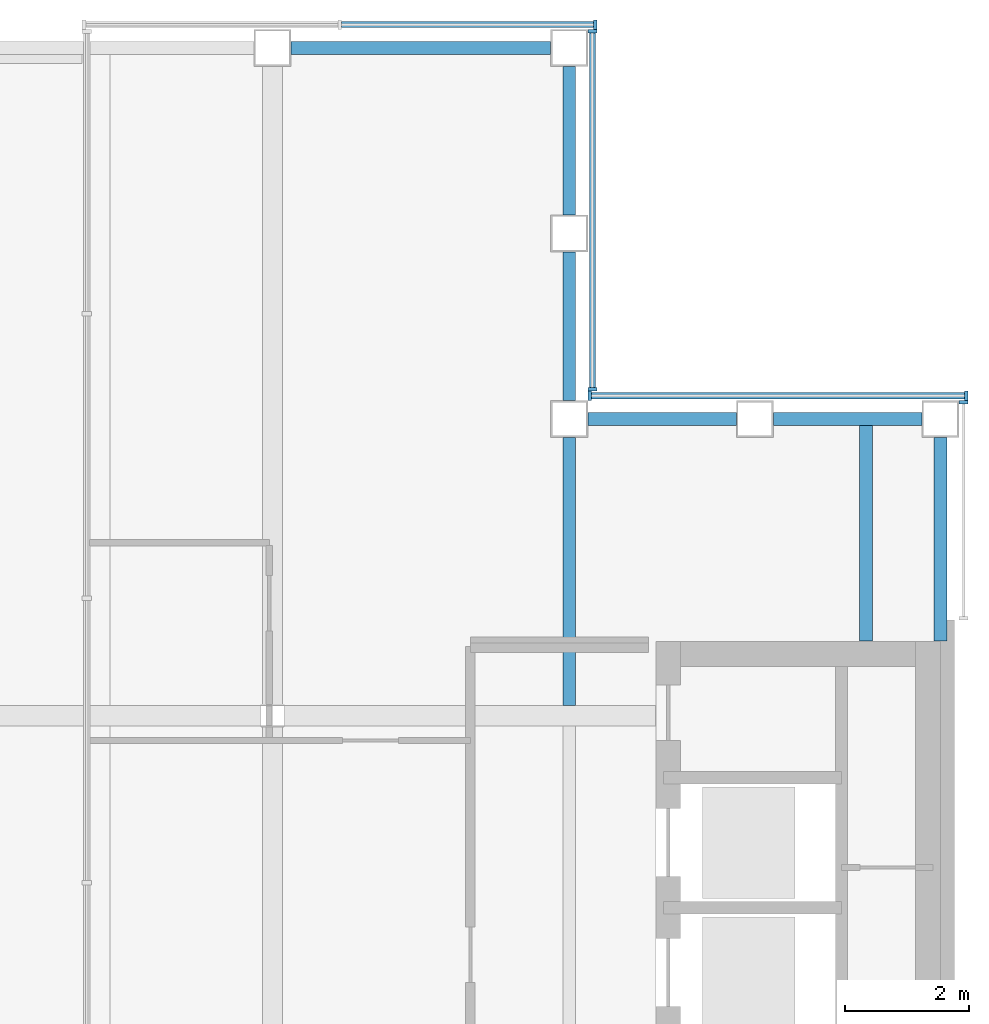
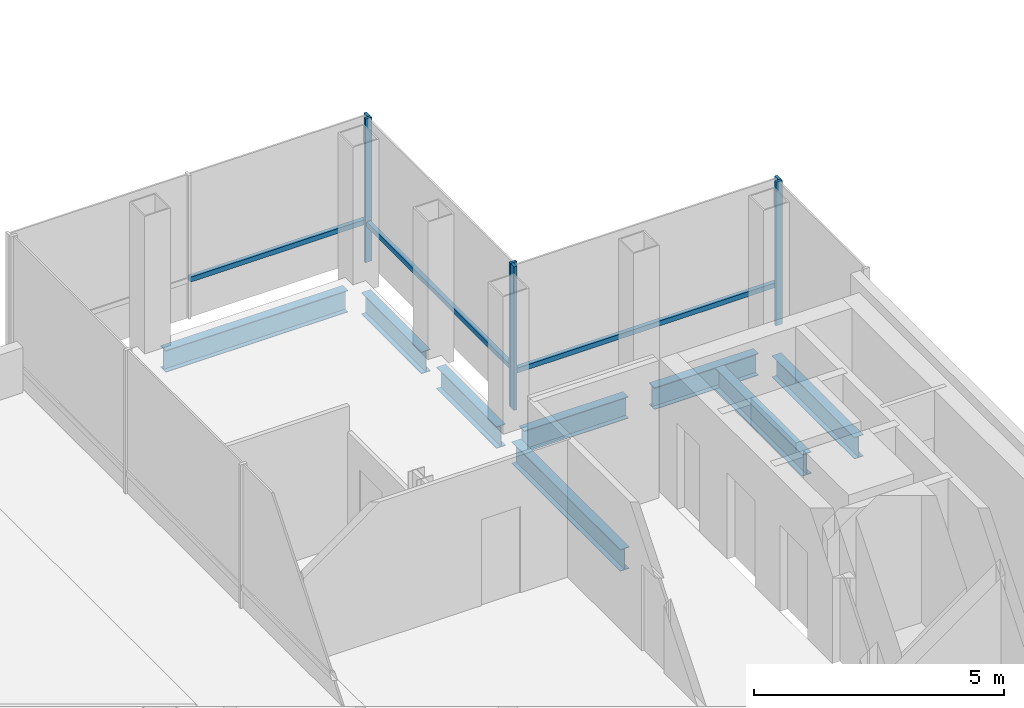
# One storey, part 21 of 32: 9 members, 8 beams, 4 elements without a shape of their own.
"""IFC4 building model written with IfcOpenShell, lengths in metres."""

from ifc_helpers import new_model, si_unit, direction, frame, origin, origin_2d, place, context, subcontext, project, spatial, rectangle, i_section, extrude, material, material_profile, profile_set, type_object, element, aggregate, save


model = new_model("IFC4")

# Units and contexts
model_context = context("Model", 3, precision=1e-05, world=origin(), true_north=direction((0.0, 1.0)))
body_context = subcontext(model_context, "Body", "Model", "MODEL_VIEW")
ifc_project = project(units=[si_unit("LENGTHUNIT", "METRE"), si_unit("AREAUNIT", "SQUARE_METRE"), si_unit("VOLUMEUNIT", "CUBIC_METRE"), si_unit("PLANEANGLEUNIT", "RADIAN"), si_unit("MASSUNIT", "GRAM", prefix="KILO")], contexts=[model_context])

# Site, building, storey
site_placement = place(None, origin())
site = spatial("IfcSite", under=ifc_project, at=site_placement, CompositionType="ELEMENT")
building_placement = place(site_placement, origin())
building = spatial("IfcBuilding", under=site, at=building_placement, Name="Cobrizo Arcos Hotel Tower", CompositionType="ELEMENT")
storey_placement = place(building_placement, frame((0.0, 0.0, 265.5)))
storey = spatial("IfcBuildingStorey", under=building, at=storey_placement, Name="L70", CompositionType="ELEMENT", Elevation=265.5)

# Curtain wall, member
ifc_material_1 = material(Name="Aluminium 6063-T6 anodised bronze", Category="aluminium")
curtain_wall_type = type_object("IfcCurtainWallType", Name="CW-A guest facade", PredefinedType="NOTDEFINED", material=ifc_material_1)
curtain_wall_1_placement = place(storey_placement, origin())
curtain_wall_1 = element("IfcCurtainWall", 1, at=curtain_wall_1_placement, inside=storey, type_object=curtain_wall_type, Name="CW-A L70 N face", PredefinedType="NOTDEFINED")
ifc_material_profile_1 = material_profile(ifc_material_1, rectangle(XDim=0.14990234375, YDim=0.06005859375, at=origin_2d()), Name="CW-A mullion 150x60")
ifc_profile_set_1 = profile_set([ifc_material_profile_1], Name="Aluminium 6063-T6 anodised bronze")
member_type_1 = type_object("IfcMemberType", Name="CW-A mullion 150x60", PredefinedType="MULLION", material=ifc_profile_set_1)
member_1_placement = place(storey_placement, frame((14.820068359375, 20.77490234375, 0.0), z_axis=(0.0, 0.0, 1.0), x_axis=(0.0, 1.0, 0.0)))
member_1 = element("IfcMember", 2, at=member_1_placement, type_object=member_type_1, Name="CW-A mullion 1", PredefinedType="MULLION", context=body_context, shape_type="SweptSolid", body=[
    extrude(rectangle(XDim=0.14990234375, YDim=0.06005859375, at=origin_2d()), origin(), (0.0, 0.0, 1.0), 3.5),
])

curtain_wall_2_placement = place(storey_placement, origin())
curtain_wall_2 = element("IfcCurtainWall", 3, at=curtain_wall_2_placement, inside=storey, type_object=curtain_wall_type, Name="CW-A L70 E face", PredefinedType="NOTDEFINED")
member_2_placement = place(storey_placement, frame((20.77490234375, 14.669921875, 0.0), z_axis=(0.0, 0.0, 1.0), x_axis=(1.0, 0.0, 0.0)))
member_2 = element("IfcMember", 4, at=member_2_placement, type_object=member_type_1, Name="CW-A mullion 2", PredefinedType="MULLION", context=body_context, shape_type="SweptSolid", body=[
    extrude(rectangle(XDim=0.14990234375, YDim=0.06005859375, at=origin_2d()), origin(), (0.0, 0.0, 1.0), 3.5),
])
aggregate(curtain_wall_2, [member_2])

# Curtain wall, members
curtain_wall_3_placement = place(storey_placement, origin())
curtain_wall_3 = element("IfcCurtainWall", 5, at=curtain_wall_3_placement, inside=storey, type_object=curtain_wall_type, Name="CW-A L70 N face", PredefinedType="NOTDEFINED")
member_3_placement = place(storey_placement, frame((20.820068359375, 14.77490234375, 0.0), z_axis=(0.0, 0.0, 1.0), x_axis=(0.0, 1.0, 0.0)))
member_3 = element("IfcMember", 6, at=member_3_placement, type_object=member_type_1, Name="CW-A mullion 1", PredefinedType="MULLION", context=body_context, shape_type="SweptSolid", body=[
    extrude(rectangle(XDim=0.14990234375, YDim=0.06005859375, at=origin_2d()), origin(), (0.0, 0.0, 1.0), 3.5),
])
member_4_placement = place(storey_placement, frame((14.72998046875, 14.77490234375, 0.0), z_axis=(0.0, 0.0, 1.0), x_axis=(0.0, 1.0, 0.0)))
member_4 = element("IfcMember", 7, at=member_4_placement, type_object=member_type_1, Name="CW-A mullion 2", PredefinedType="MULLION", context=body_context, shape_type="SweptSolid", body=[
    extrude(rectangle(XDim=0.14990234375, YDim=0.06005859375, at=origin_2d()), origin(), (0.0, 0.0, 1.0), 3.5),
])

curtain_wall_4_placement = place(storey_placement, origin())
curtain_wall_4 = element("IfcCurtainWall", 8, at=curtain_wall_4_placement, inside=storey, type_object=curtain_wall_type, Name="CW-A L70 E face", PredefinedType="NOTDEFINED")
member_5_placement = place(storey_placement, frame((14.77490234375, 14.8798828125, 0.0), z_axis=(0.0, 0.0, 1.0), x_axis=(1.0, 0.0, 0.0)))
member_5 = element("IfcMember", 9, at=member_5_placement, type_object=member_type_1, Name="CW-A mullion 1", PredefinedType="MULLION", context=body_context, shape_type="SweptSolid", body=[
    extrude(rectangle(XDim=0.14990234375, YDim=0.06005859375, at=origin_2d()), origin(), (0.0, 0.0, 1.0), 3.5),
])
member_6_placement = place(storey_placement, frame((14.77490234375, 20.669921875, 0.0), z_axis=(0.0, 0.0, 1.0), x_axis=(1.0, 0.0, 0.0)))
member_6 = element("IfcMember", 10, at=member_6_placement, type_object=member_type_1, Name="CW-A mullion 2", PredefinedType="MULLION", context=body_context, shape_type="SweptSolid", body=[
    extrude(rectangle(XDim=0.14990234375, YDim=0.06005859375, at=origin_2d()), origin(), (0.0, 0.0, 1.0), 3.5),
])

# Member
ifc_material_profile_2 = material_profile(ifc_material_1, rectangle(XDim=0.10009765625, YDim=0.1201171875, at=origin_2d()), Name="CW-A transom 120x100")
ifc_profile_set_2 = profile_set([ifc_material_profile_2], Name="Aluminium 6063-T6 anodised bronze")
member_type_2 = type_object("IfcMemberType", Name="CW-A transom 120x100", PredefinedType="USERDEFINED", material=ifc_profile_set_2)
member_7_placement = place(storey_placement, frame((14.7900390625, 20.77490234375, 0.929931640625), z_axis=(-1.0, 0.0, 0.0), x_axis=(0.0, -1.0, 0.0)))
member_7 = element("IfcMember", 11, at=member_7_placement, type_object=member_type_2, Name="CW-A transom 2180", ObjectType="TRANSOM", PredefinedType="USERDEFINED", context=body_context, shape_type="SweptSolid", body=[
    extrude(rectangle(XDim=0.10009765625, YDim=0.1201171875, at=origin_2d()), origin(), (0.0, 0.0, 1.0), 4.072998046875),
])

aggregate(curtain_wall_1, [member_1, member_7])

member_8_placement = place(storey_placement, frame((20.7900390625, 14.77490234375, 0.929931640625), z_axis=(-1.0, 0.0, 0.0), x_axis=(0.0, -1.0, 0.0)))
member_8 = element("IfcMember", 12, at=member_8_placement, type_object=member_type_2, Name="CW-A transom 2197", ObjectType="TRANSOM", PredefinedType="USERDEFINED", context=body_context, shape_type="SweptSolid", body=[
    extrude(rectangle(XDim=0.10009765625, YDim=0.1201171875, at=origin_2d()), origin(), (0.0, 0.0, 1.0), 6.030029296875),
])

aggregate(curtain_wall_3, [member_3, member_4, member_8])

member_9_placement = place(storey_placement, frame((14.77490234375, 14.909912109375, 0.929931640625), z_axis=(0.0, 1.0, 0.0), x_axis=(-1.0, 0.0, 0.0)))
member_9 = element("IfcMember", 13, at=member_9_placement, type_object=member_type_2, Name="CW-A transom 2198", ObjectType="TRANSOM", PredefinedType="USERDEFINED", context=body_context, shape_type="SweptSolid", body=[
    extrude(rectangle(XDim=0.10009765625, YDim=0.1201171875, at=origin_2d()), origin(), (0.0, 0.0, 1.0), 5.72998046875),
])

aggregate(curtain_wall_4, [member_5, member_6, member_9])

# Beams
ifc_material_2 = material(Name="Steel ASTM A992 Grade 50", Category="steel")
ifc_material_profile_3 = material_profile(ifc_material_2, i_section(OverallWidth=0.209228515625, OverallDepth=0.533447265625, WebThickness=0.01025390625, FlangeThickness=0.015625, at=origin_2d()), Name="W21X62")
ifc_profile_set_3 = profile_set([ifc_material_profile_3], Name="Steel ASTM A992 Grade 50")
beam_type_1 = type_object("IfcBeamType", Name="W21X62 joist", PredefinedType="JOIST", material=ifc_profile_set_3)
beam_1_placement = place(storey_placement, frame((14.39990234375, 9.763916015625, -0.5166015625), z_axis=(0.0, 1.0, 0.0), x_axis=(-1.0, 0.0, 0.0)))
element("IfcBeam", 14, at=beam_1_placement, inside=storey, type_object=beam_type_1, Name="Floor joist J1, L70, no. 018", PredefinedType="JOIST", context=body_context, shape_type="SweptSolid", body=[
    extrude(i_section(OverallWidth=0.209228515625, OverallDepth=0.533447265625, WebThickness=0.01025390625, FlangeThickness=0.015625, at=origin_2d()), origin(), (0.0, 0.0, 1.0), 4.336181640625),
])
beam_2_placement = place(storey_placement, frame((19.199951171875, 10.81005859375, -0.5166015625), z_axis=(0.0, 1.0, 0.0), x_axis=(-1.0, 0.0, 0.0)))
element("IfcBeam", 15, at=beam_2_placement, inside=storey, type_object=beam_type_1, Name="Floor joist J1, L70, no. 020", PredefinedType="JOIST", context=body_context, shape_type="SweptSolid", body=[
    extrude(i_section(OverallWidth=0.209228515625, OverallDepth=0.533447265625, WebThickness=0.01025390625, FlangeThickness=0.015625, at=origin_2d()), origin(), (0.0, 0.0, 1.0), 3.5),
])
ifc_material_profile_4 = material_profile(ifc_material_2, i_section(OverallWidth=0.209228515625, OverallDepth=0.533447265625, WebThickness=0.01025390625, FlangeThickness=0.015625, at=origin_2d()), Name="W21X62")
ifc_profile_set_4 = profile_set([ifc_material_profile_4], Name="Steel ASTM A992 Grade 50")
beam_type_2 = type_object("IfcBeamType", Name="W21X62 spandrel", PredefinedType="SPANDREL", material=ifc_profile_set_4)
beam_3_placement = place(storey_placement, frame((9.89990234375, 20.39990234375, -0.5166015625), z_axis=(1.0, 0.0, 0.0), x_axis=(0.0, 1.0, 0.0)))
element("IfcBeam", 16, at=beam_3_placement, inside=storey, type_object=beam_type_2, Name="Spandrel beam W21X62, L70, no. 014", PredefinedType="SPANDREL", context=body_context, shape_type="SweptSolid", body=[
    extrude(i_section(OverallWidth=0.209228515625, OverallDepth=0.533447265625, WebThickness=0.01025390625, FlangeThickness=0.015625, at=origin_2d()), origin(), (0.0, 0.0, 1.0), 4.2001953125),
])
for number, where, z_axis, x_axis, name in (
    (17, (14.39990234375, 20.10009765625, -0.5166015625), (0.0, -1.0, 0.0), (1.0, 0.0, 0.0), "Spandrel beam W21X62, L70, no. 015"),
    (18, (14.39990234375, 17.10009765625, -0.5166015625), (0.0, -1.0, 0.0), (1.0, 0.0, 0.0), "Spandrel beam W21X62, L70, no. 016"),
    (19, (14.699951171875, 14.39990234375, -0.5166015625), (1.0, 0.0, 0.0), (0.0, 1.0, 0.0), "Spandrel beam W21X62, L70, no. 017"),
    (20, (17.699951171875, 14.39990234375, -0.5166015625), (1.0, 0.0, 0.0), (0.0, 1.0, 0.0), "Spandrel beam W21X62, L70, no. 018"),
):
    element("IfcBeam", number, at=place(storey_placement, frame(where, z_axis=z_axis, x_axis=x_axis)), inside=storey, type_object=beam_type_2, Name=name, PredefinedType="SPANDREL", context=body_context, shape_type="SweptSolid", body=[
        extrude(i_section(OverallWidth=0.209228515625, OverallDepth=0.533447265625, WebThickness=0.01025390625, FlangeThickness=0.015625, at=origin_2d()), origin(), (0.0, 0.0, 1.0), 2.400146484375),
    ])
beam_4_placement = place(storey_placement, frame((20.39990234375, 14.10009765625, -0.5166015625), z_axis=(0.0, -1.0, 0.0), x_axis=(1.0, 0.0, 0.0)))
element("IfcBeam", 21, at=beam_4_placement, inside=storey, type_object=beam_type_2, Name="Spandrel beam W21X62, L70, no. 019", PredefinedType="SPANDREL", context=body_context, shape_type="SweptSolid", body=[
    extrude(i_section(OverallWidth=0.209228515625, OverallDepth=0.533447265625, WebThickness=0.01025390625, FlangeThickness=0.015625, at=origin_2d()), origin(), (0.0, 0.0, 1.0), 3.2900390625),
])

save(model, "model.ifc")
